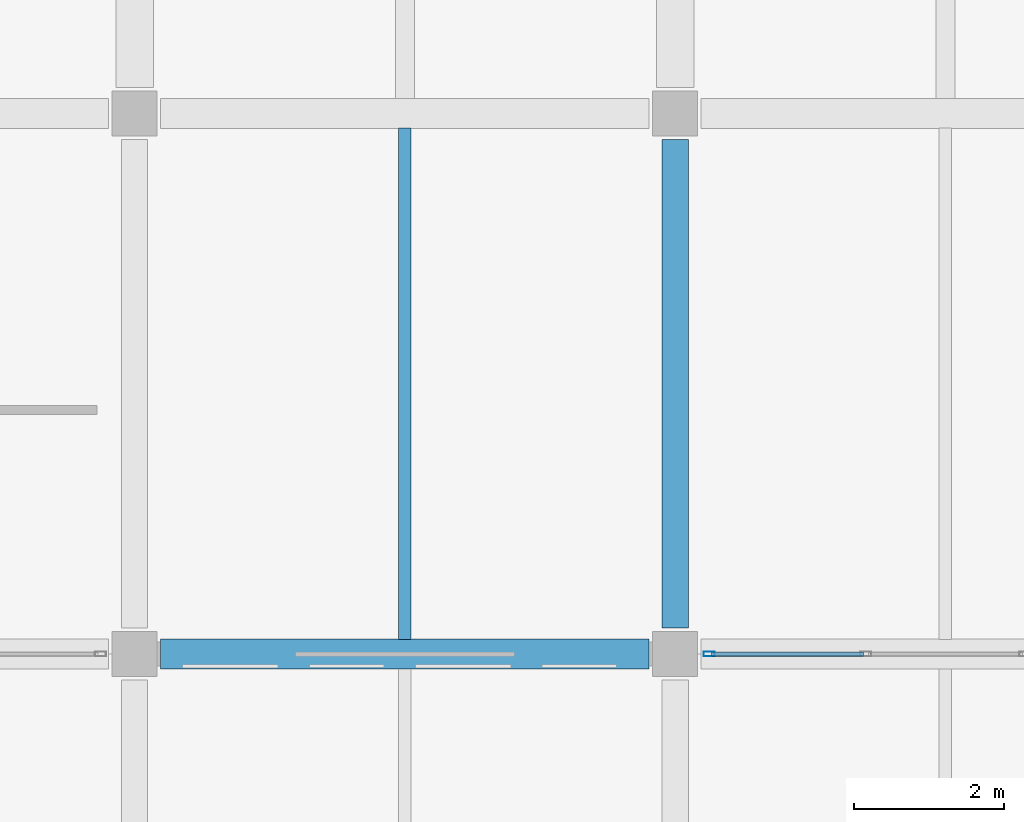
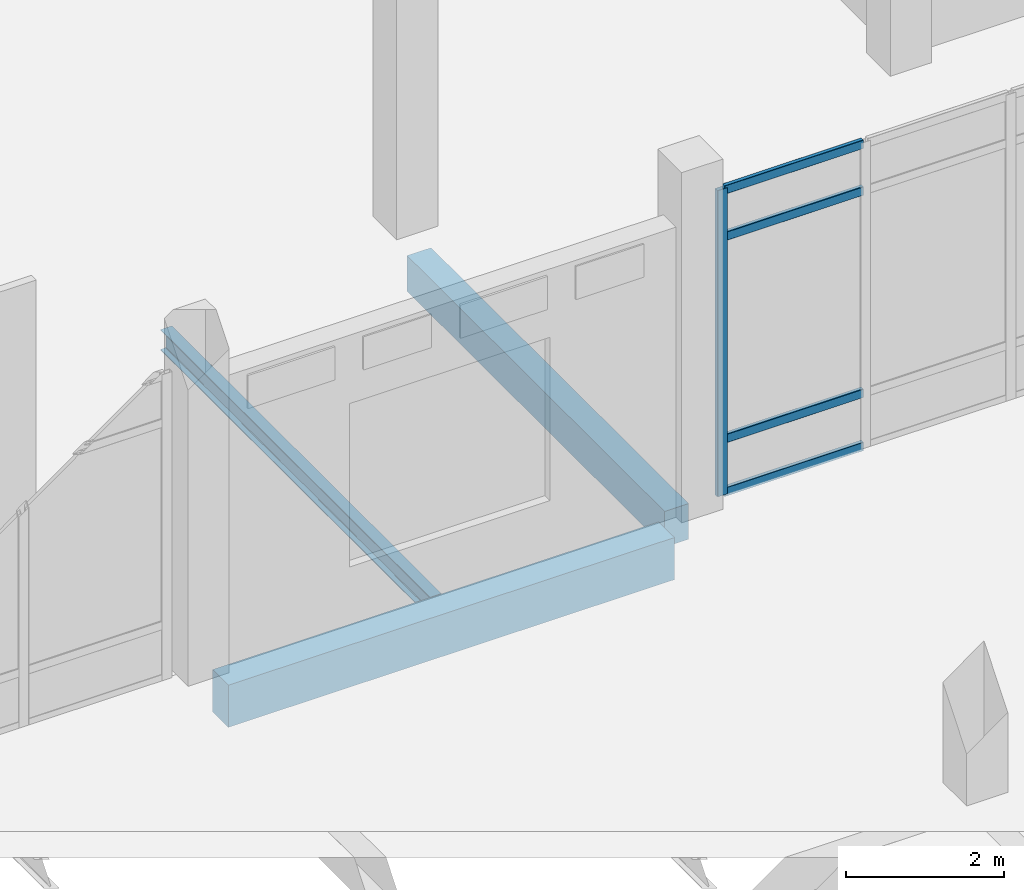
# One storey, part 129 of 180: 5 members, 3 beams, 1 element without a shape of its own.
"""IFC4 building model written with IfcOpenShell, lengths in metres."""

from ifc_helpers import new_model, si_unit, direction, frame, origin, origin_2d, place, context, subcontext, project, spatial, rectangle, hollow_rectangle, i_section, extrude, material, material_profile, profile_set, type_object, element, aggregate, save


model = new_model("IFC4")

# Units and contexts
model_context = context("Model", 3, precision=1e-05, world=origin(), true_north=direction((0.0, 1.0)))
body_context = subcontext(model_context, "Body", "Model", "MODEL_VIEW")
ifc_project = project(units=[si_unit("LENGTHUNIT", "METRE"), si_unit("AREAUNIT", "SQUARE_METRE"), si_unit("VOLUMEUNIT", "CUBIC_METRE"), si_unit("PLANEANGLEUNIT", "RADIAN"), si_unit("MASSUNIT", "GRAM", prefix="KILO")], contexts=[model_context])

# Site, building, storey
site_placement = place(None, origin())
site = spatial("IfcSite", under=ifc_project, at=site_placement, CompositionType="ELEMENT")
building_placement = place(site_placement, origin())
building = spatial("IfcBuilding", under=site, at=building_placement, Name="Lusvemor Sports Hall", CompositionType="ELEMENT")
storey_placement = place(building_placement, frame((0.0, 0.0, 5.39990234375)))
storey = spatial("IfcBuildingStorey", under=building, at=storey_placement, Name="L01", CompositionType="ELEMENT", Elevation=5.39990234375)

# Beams
ifc_material_1 = material(Name="Concrete C40/50", Category="concrete")
ifc_material_profile_1 = material_profile(ifc_material_1, rectangle(XDim=0.35009765625, YDim=0.550048828125, at=origin_2d()), Name="RC350x550")
ifc_profile_set_1 = profile_set([ifc_material_profile_1], Name="Concrete C40/50")
beam_type_1 = type_object("IfcBeamType", Name="BEAM_RC_550", PredefinedType="BEAM", material=ifc_profile_set_1)
beam_1_placement = place(storey_placement, frame((154.800048828125, 97.5458984375, -0.534912109375), z_axis=(0.0, 1.0, 0.0), x_axis=(-1.0, 0.0, 0.0)))
element("IfcBeam", 1, at=beam_1_placement, inside=storey, type_object=beam_type_1, Name="Beam L01 18:N-P", PredefinedType="BEAM", context=body_context, shape_type="SweptSolid", body=[
    extrude(rectangle(XDim=0.35009765625, YDim=0.550048828125, at=origin_2d()), origin(), (0.0, 0.0, 1.0), 6.508056640625),
])
ifc_material_2 = material(Name="Concrete C40/50", Category="concrete")
ifc_material_profile_2 = material_profile(ifc_material_2, rectangle(XDim=0.39990234375, YDim=0.64990234375, at=origin_2d()), Name="RC400x650")
ifc_profile_set_2 = profile_set([ifc_material_profile_2], Name="Concrete C40/50")
beam_type_2 = type_object("IfcBeamType", Name="BEAM_RC_650", PredefinedType="BEAM", material=ifc_profile_set_2)
beam_2_placement = place(storey_placement, frame((147.946044921875, 97.199951171875, -0.594970703125), z_axis=(1.0, 0.0, 0.0), x_axis=(0.0, 1.0, 0.0)))
element("IfcBeam", 2, at=beam_2_placement, inside=storey, type_object=beam_type_2, Name="Beam L01 N:17-18", PredefinedType="BEAM", context=body_context, shape_type="SweptSolid", body=[
    extrude(rectangle(XDim=0.39990234375, YDim=0.64990234375, at=origin_2d()), origin(), (0.0, 0.0, 1.0), 6.508056640625),
])

# Curtain wall, members
ifc_material_3 = material(Name="Thermally broken bronze-anodized aluminium", Category="aluminium")
curtain_wall_type = type_object("IfcCurtainWallType", Name="CW_WING_B", PredefinedType="NOTDEFINED", material=ifc_material_3)
curtain_wall_placement = place(storey_placement, origin())
curtain_wall = element("IfcCurtainWall", 3, at=curtain_wall_placement, inside=storey, type_object=curtain_wall_type, Name="Curtain Wall CW-L01-S-3-15", PredefinedType="NOTDEFINED")
ifc_material_4 = material(Name="Thermally broken bronze-anodized aluminium", Category="aluminium")
ifc_material_profile_3 = material_profile(ifc_material_4, hollow_rectangle(XDim=0.06494140625, YDim=0.14990234375, WallThickness=0.00390625, InnerFilletRadius=0.00390625, OuterFilletRadius=0.008056640625, at=origin_2d()), Name="CWMUL150x65x4")
ifc_profile_set_3 = profile_set([ifc_material_profile_3], Name="Thermally broken bronze-anodized aluminium")
member_type_1 = type_object("IfcMemberType", Name="CW_MUL_B", PredefinedType="MULLION", material=ifc_profile_set_3)
member_1_placement = place(storey_placement, frame((155.25244140625, 97.199951171875, 0.0), z_axis=(0.0, 0.0, 1.0), x_axis=(0.0, -1.0, 0.0)))
member_1 = element("IfcMember", 4, at=member_1_placement, type_object=member_type_1, Name="CW02 mullion 4", PredefinedType="MULLION", context=body_context, shape_type="SweptSolid", body=[
    extrude(hollow_rectangle(XDim=0.06494140625, YDim=0.14990234375, WallThickness=0.00390625, InnerFilletRadius=0.00390625, OuterFilletRadius=0.008056640625, at=origin_2d()), origin(), (0.0, 0.0, 1.0), 4.72021484375),
])
ifc_material_5 = material(Name="Thermally broken bronze-anodized aluminium", Category="aluminium")
ifc_material_profile_4 = material_profile(ifc_material_5, hollow_rectangle(XDim=0.06005859375, YDim=0.135009765625, WallThickness=0.00390625, InnerFilletRadius=0.00390625, OuterFilletRadius=0.008056640625, at=origin_2d()), Name="CWTRN135x60x4")
ifc_profile_set_4 = profile_set([ifc_material_profile_4], Name="Thermally broken bronze-anodized aluminium")
member_type_2 = type_object("IfcMemberType", Name="CW_TRN_B", PredefinedType="USERDEFINED", material=ifc_profile_set_4)
member_2_placement = place(storey_placement, frame((157.3076171875, 97.199951171875, 0.030029296875), z_axis=(-1.0, 0.0, 0.0), x_axis=(0.0, -1.0, 0.0)))
member_2 = element("IfcMember", 5, at=member_2_placement, type_object=member_type_2, Name="CW02 transom 3.1", ObjectType="TRANSOM", PredefinedType="USERDEFINED", context=body_context, shape_type="SweptSolid", body=[
    extrude(hollow_rectangle(XDim=0.06005859375, YDim=0.135009765625, WallThickness=0.00390625, InnerFilletRadius=0.00390625, OuterFilletRadius=0.008056640625, at=origin_2d()), origin(), (0.0, 0.0, 1.0), 2.022705078125),
])
member_3_placement = place(storey_placement, frame((157.3076171875, 97.199951171875, 0.85009765625), z_axis=(-1.0, 0.0, 0.0), x_axis=(0.0, -1.0, 0.0)))
member_3 = element("IfcMember", 6, at=member_3_placement, type_object=member_type_2, Name="CW02 transom 3.2", ObjectType="TRANSOM", PredefinedType="USERDEFINED", context=body_context, shape_type="SweptSolid", body=[
    extrude(hollow_rectangle(XDim=0.06005859375, YDim=0.135009765625, WallThickness=0.00390625, InnerFilletRadius=0.00390625, OuterFilletRadius=0.008056640625, at=origin_2d()), origin(), (0.0, 0.0, 1.0), 2.022705078125),
])
member_4_placement = place(storey_placement, frame((157.3076171875, 97.199951171875, 3.97021484375), z_axis=(-1.0, 0.0, 0.0), x_axis=(0.0, -1.0, 0.0)))
member_4 = element("IfcMember", 7, at=member_4_placement, type_object=member_type_2, Name="CW02 transom 3.3", ObjectType="TRANSOM", PredefinedType="USERDEFINED", context=body_context, shape_type="SweptSolid", body=[
    extrude(hollow_rectangle(XDim=0.06005859375, YDim=0.135009765625, WallThickness=0.00390625, InnerFilletRadius=0.00390625, OuterFilletRadius=0.008056640625, at=origin_2d()), origin(), (0.0, 0.0, 1.0), 2.022705078125),
])
member_5_placement = place(storey_placement, frame((157.3076171875, 97.199951171875, 4.690185546875), z_axis=(-1.0, 0.0, 0.0), x_axis=(0.0, -1.0, 0.0)))
member_5 = element("IfcMember", 8, at=member_5_placement, type_object=member_type_2, Name="CW02 transom 3.4", ObjectType="TRANSOM", PredefinedType="USERDEFINED", context=body_context, shape_type="SweptSolid", body=[
    extrude(hollow_rectangle(XDim=0.06005859375, YDim=0.135009765625, WallThickness=0.00390625, InnerFilletRadius=0.00390625, OuterFilletRadius=0.008056640625, at=origin_2d()), origin(), (0.0, 0.0, 1.0), 2.022705078125),
])
aggregate(curtain_wall, [member_1, member_2, member_3, member_4, member_5])

# Beam
ifc_material_6 = material(Name="Steel S355", Category="steel")
ifc_material_profile_5 = material_profile(ifc_material_6, i_section(OverallWidth=0.1669921875, OverallDepth=0.31689453125, WebThickness=0.007568359375, FlangeThickness=0.01318359375, FilletRadius=0.014892578125, at=origin_2d()), Name="W310x52.0")
ifc_profile_set_5 = profile_set([ifc_material_profile_5], Name="Steel S355")
beam_type_3 = type_object("IfcBeamType", Name="JOIST_ST_310M", PredefinedType="JOIST", material=ifc_profile_set_5)
beam_3_placement = place(storey_placement, frame((151.199951171875, 97.39599609375, -0.42236328125), z_axis=(0.0, 1.0, 0.0), x_axis=(-1.0, 0.0, 0.0)))
element("IfcBeam", 9, at=beam_3_placement, inside=storey, type_object=beam_type_3, Name="Secondary Joist L01 17-18/N-P #1", PredefinedType="JOIST", context=body_context, shape_type="SweptSolid", body=[
    extrude(i_section(OverallWidth=0.1669921875, OverallDepth=0.31689453125, WebThickness=0.007568359375, FlangeThickness=0.01318359375, FilletRadius=0.014892578125, at=origin_2d()), origin(), (0.0, 0.0, 1.0), 6.80810546875),
])

save(model, "model.ifc")
